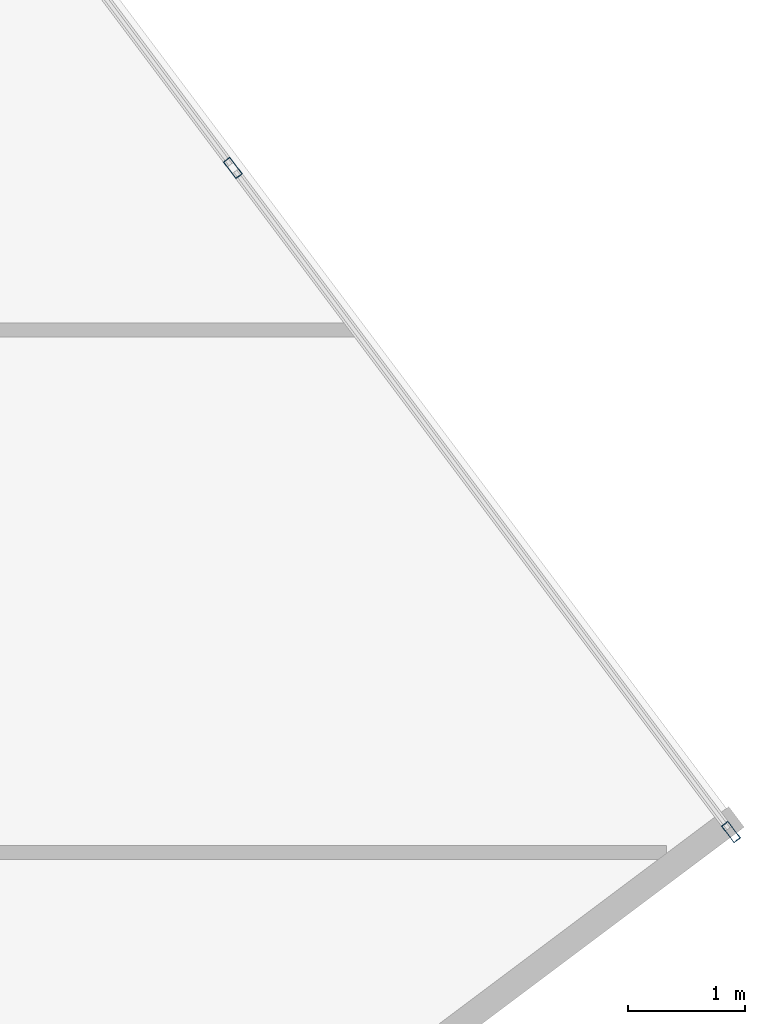
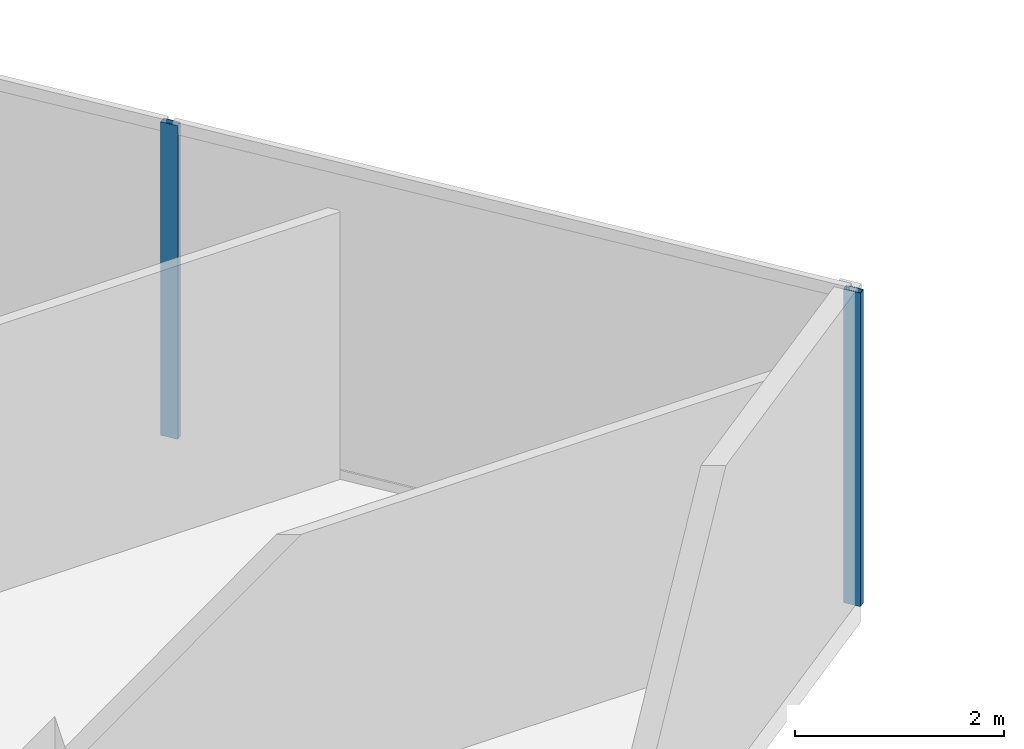
# One storey, part 10 of 21: 2 members, 1 element without a shape of its own.
"""IFC4 building model written with IfcOpenShell, lengths in metres."""

from ifc_helpers import new_model, si_unit, direction, frame, origin, origin_2d, place, context, subcontext, project, spatial, hollow_rectangle, extrude, source, transform, mapped, material, material_profile, profile_set, type_object, type_shapes, element, aggregate, save


model = new_model("IFC4")

# Units and contexts
model_context = context("Model", 3, precision=1e-05, world=origin(), true_north=direction((0.0, 1.0)))
body_context = subcontext(model_context, "Body", "Model", "MODEL_VIEW")
ifc_project = project(units=[si_unit("LENGTHUNIT", "METRE"), si_unit("AREAUNIT", "SQUARE_METRE"), si_unit("VOLUMEUNIT", "CUBIC_METRE"), si_unit("PLANEANGLEUNIT", "RADIAN"), si_unit("MASSUNIT", "GRAM", prefix="KILO")], contexts=[model_context])

# Site, building, storey
site_placement = place(None, origin())
site = spatial("IfcSite", under=ifc_project, at=site_placement, CompositionType="ELEMENT")
building_placement = place(site_placement, origin())
building = spatial("IfcBuilding", under=site, at=building_placement, Name="Krantzveldt Concourse Tower", CompositionType="ELEMENT")
storey_placement = place(building_placement, frame((0.0, 0.0, 267.39990234375)))
storey = spatial("IfcBuildingStorey", under=building, at=storey_placement, Name="L65", CompositionType="ELEMENT", Elevation=267.39990234375)

# Curtain wall, members
ifc_material = material(Name="Anodised aluminium 6063-T6", Category="aluminium")
curtain_wall_type = type_object("IfcCurtainWallType", Name="CW4", PredefinedType="USERDEFINED", material=ifc_material)
curtain_wall_placement = place(storey_placement, origin())
curtain_wall = element("IfcCurtainWall", 1, at=curtain_wall_placement, inside=storey, type_object=curtain_wall_type, Name="CW-L65-F10", ObjectType="UNITISED CURTAIN WALL", PredefinedType="USERDEFINED")
ifc_material_profile = material_profile(ifc_material, hollow_rectangle(XDim=0.070068359375, YDim=0.179931640625, WallThickness=0.0048828125, at=origin_2d()), Name="Anodised aluminium 6063-T6", Category="aluminium")
ifc_profile_set = profile_set([ifc_material_profile], Name="Anodised aluminium 6063-T6 - ALU-MULL 180x70x5")
member_type = type_object("IfcMemberType", Name="CW-MUL-180", PredefinedType="MULLION", material=ifc_profile_set)
shared_shape = source(origin(), body_context, "Body", "SweptSolid", [
    extrude(hollow_rectangle(XDim=0.070068359375, YDim=0.179931640625, WallThickness=0.0048828125, at=origin_2d()), origin(), (0.0, 0.0, 1.0), 3.670166015625),
])
type_shapes(member_type, [shared_shape])
member_1_placement = place(storey_placement, frame((60.1669921875, 26.99609375, 0.0), z_axis=(0.0, 0.0, 1.0), x_axis=(-0.799946500313, -0.600071326292, 0.0)))
member_1 = element("IfcMember", 2, at=member_1_placement, type_object=member_type, Name="CW-Z56 mullion 1", PredefinedType="MULLION", context=body_context, shape_type="MappedRepresentation", body=[
    mapped(shared_shape, transform((0.0, 0.0, 0.0), x_axis=(1.0, 0.0, 0.0), y_axis=(0.0, 1.0, 0.0), z_axis=(0.0, 0.0, 1.0), scale=1.0)),
])
member_2_placement = place(storey_placement, frame((55.8974609375, 32.687744140625, 0.0), z_axis=(0.0, 0.0, 1.0), x_axis=(-0.799946500313, -0.600071326292, 0.0)))
member_2 = element("IfcMember", 3, at=member_2_placement, type_object=member_type, Name="CW-Z56 mullion 2", PredefinedType="MULLION", context=body_context, shape_type="MappedRepresentation", body=[
    mapped(shared_shape, transform((0.0, 0.0, 0.0), x_axis=(1.0, 0.0, 0.0), y_axis=(0.0, 1.0, 0.0), z_axis=(0.0, 0.0, 1.0), scale=1.0)),
])
aggregate(curtain_wall, [member_1, member_2])

save(model, "model.ifc")
